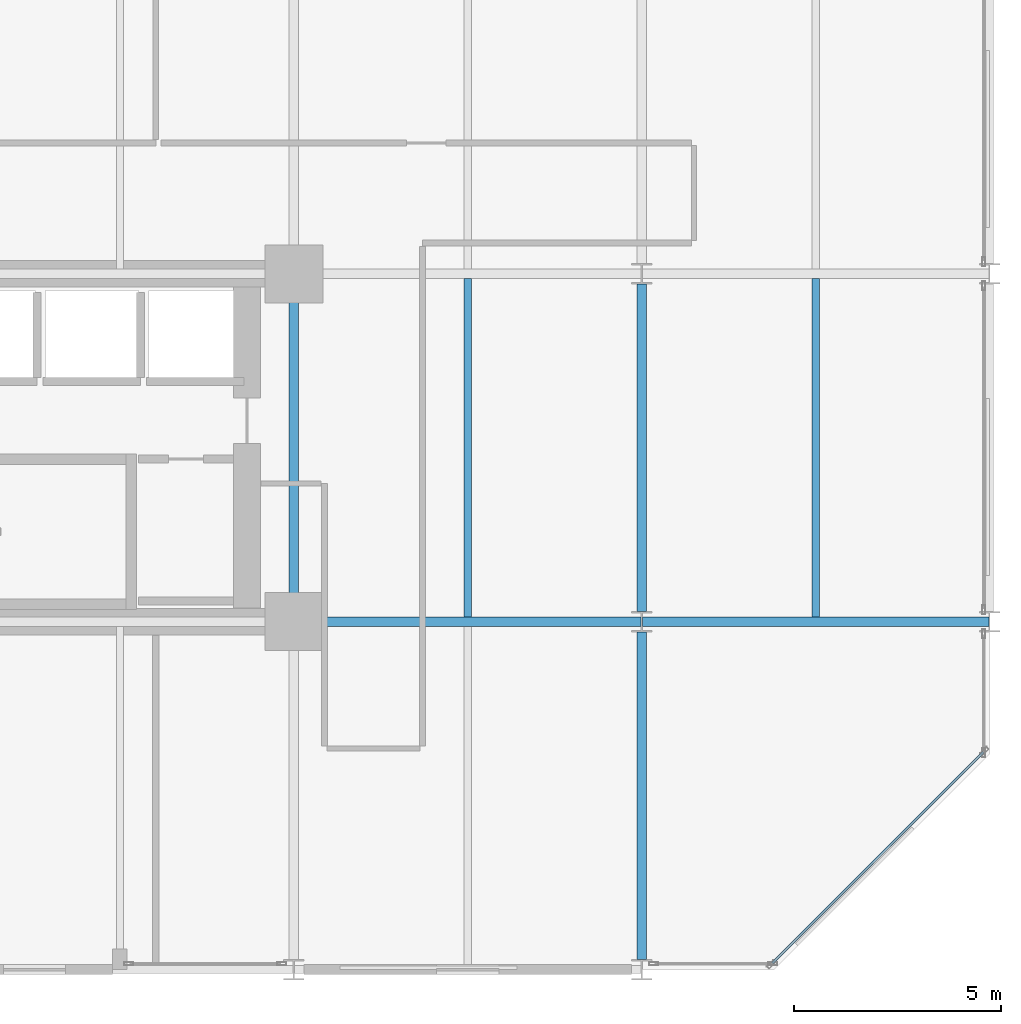
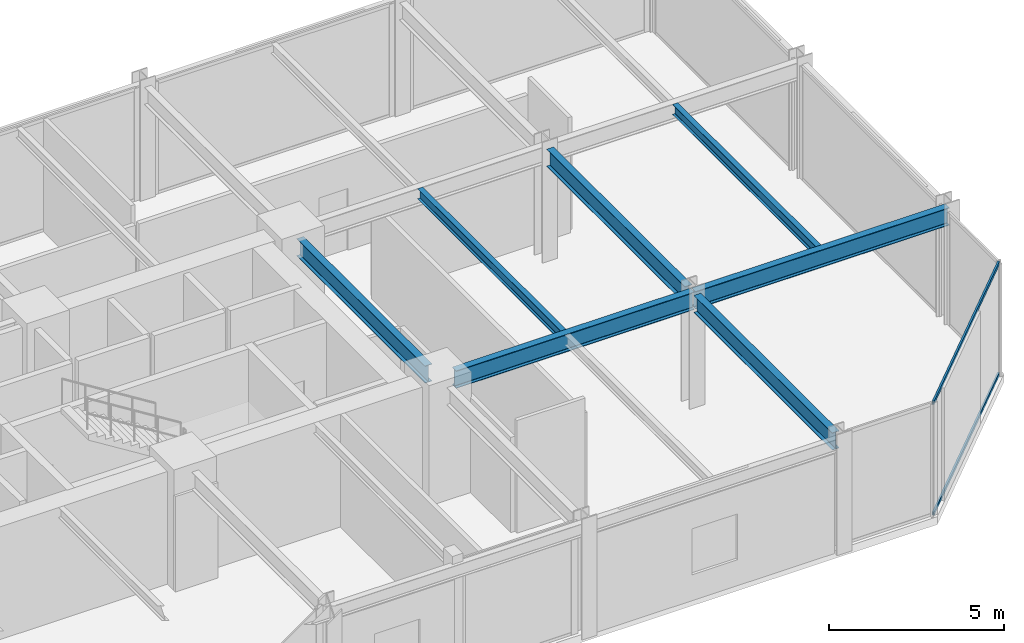
# One storey, part 10 of 24: 7 beams, 2 members, 1 element without a shape of its own.
"""IFC4 building model written with IfcOpenShell, lengths in metres."""

import ifcopenshell
import ifcopenshell.guid

model = None  # the IFC model being written
_history = None  # IfcOwnerHistory: only IFC2X3 demands one
_inside = {}  # id of a spatial element -> (the spatial element, [elements in it])
_under = {}  # id of a project, library or spatial element -> (it, [spatial elements below it])
_declared = {}  # id of a project -> (the project, [libraries it declares])
_typed = {}  # id of a type object -> (the type object, [elements of that type])
_made_of = {}  # id of a material, layer set ... -> (it, [elements and type objects made of it])


def new_model(schema):
    """Start an empty IFC model of exactly this schema.

    Asked for "IFC4X3", IfcOpenShell would pick the latest addendum, in which some entities
    have other attributes; the version numbers below select the first issue.
    IFC2X3 requires an IfcOwnerHistory on every rooted entity: one is made here for all.
    """
    global model, _history
    if schema == "IFC4X3":
        model = ifcopenshell.file(schema_version=(4, 3, 0, 0))
    else:
        model = ifcopenshell.file(schema=schema)
    _inside.clear()
    _under.clear()
    _declared.clear()
    _typed.clear()
    _made_of.clear()
    _history = None
    if model.schema == "IFC2X3":
        org = make("IfcOrganization", Name="unknown")
        user = make(
            "IfcPersonAndOrganization",
            ThePerson=make("IfcPerson", FamilyName="unknown"),
            TheOrganization=org,
        )
        app = make(
            "IfcApplication",
            ApplicationDeveloper=org,
            Version="unknown",
            ApplicationFullName="unknown",
            ApplicationIdentifier="unknown",
        )
        _history = make(
            "IfcOwnerHistory",
            OwningUser=user,
            OwningApplication=app,
            ChangeAction="ADDED",
            CreationDate=0,
        )
    return model


def make(cls, **values):
    """One entity of the class cls with the attributes given. An attribute that is None is left unset."""
    return model.create_entity(
        cls, **{name: value for name, value in values.items() if value is not None}
    )


def rooted(cls, **values):
    """An entity with a GlobalId (a new one), such as an element, a storey or a relation."""
    return make(cls, GlobalId=ifcopenshell.guid.new(), OwnerHistory=_history, **values)


def si_unit(unit_type, name, prefix=None):
    """IfcSIUnit, for example si_unit("LENGTHUNIT", "METRE", prefix="MILLI")."""
    return make("IfcSIUnit", UnitType=unit_type, Prefix=prefix, Name=name)


def assignment(units):
    """IfcUnitAssignment: the units of a project."""
    return None if units is None else make("IfcUnitAssignment", Units=units)


def point(xyz):
    """IfcCartesianPoint."""
    return None if xyz is None else make("IfcCartesianPoint", Coordinates=xyz)


def direction(xyz):
    """IfcDirection."""
    return None if xyz is None else make("IfcDirection", DirectionRatios=xyz)


def frame(location, z_axis=None, x_axis=None):
    """IfcAxis2Placement3D, a coordinate frame: its origin and axes. An axis left out is left unset."""
    return make(
        "IfcAxis2Placement3D",
        Location=point(location),
        Axis=direction(z_axis),
        RefDirection=direction(x_axis),
    )


def frame_2d(location, x_axis=None):
    """IfcAxis2Placement2D, a coordinate frame in the plane: its origin and x axis."""
    return make(
        "IfcAxis2Placement2D", Location=point(location), RefDirection=direction(x_axis)
    )


def origin():
    """The frame at (0, 0, 0) with its axes left unset."""
    return frame((0.0, 0.0, 0.0))


def origin_2d():
    """The frame at (0, 0) in the plane with its x axis left unset."""
    return frame_2d((0.0, 0.0))


def place(relative_to, where):
    """IfcLocalPlacement: puts the frame where relative to a parent placement (None: the world)."""
    return make(
        "IfcLocalPlacement", PlacementRelTo=relative_to, RelativePlacement=where
    )


def context(
    kind, dimensions, precision=None, world=None, true_north=None, identifier=None
):
    """IfcGeometricRepresentationContext, for example the 3D "Model" context."""
    return make(
        "IfcGeometricRepresentationContext",
        ContextIdentifier=identifier,
        ContextType=kind,
        CoordinateSpaceDimension=dimensions,
        Precision=precision,
        WorldCoordinateSystem=world,
        TrueNorth=true_north,
    )


def subcontext(parent, identifier, kind, view, scale=None):
    """IfcGeometricRepresentationSubContext, for example "Body" below "Model"."""
    return make(
        "IfcGeometricRepresentationSubContext",
        ContextIdentifier=identifier,
        ContextType=kind,
        ParentContext=parent,
        TargetScale=scale,
        TargetView=view,
    )


def project(units=None, contexts=None):
    """IfcProject with its units and contexts."""
    return rooted(
        "IfcProject",
        Name="project",
        RepresentationContexts=contexts,
        UnitsInContext=assignment(units),
    )


def spatial(cls, under=None, at=None, **own):
    """A site, building, storey or space (cls), placed at a placement, below another one or the project."""
    s = rooted(cls, ObjectPlacement=at, **own)
    if under is not None:
        _under.setdefault(under.id(), (under, []))[1].append(s)
    return s


def profile(cls, at=None, kind="AREA", **sizes):
    """A parametric profile (cls). Its sizes go by their IFC names, for example OverallWidth=200.0."""
    return make(cls, ProfileType=kind, Position=at, **sizes)


def hollow_rectangle(**sizes):
    """IfcRectangleHollowProfileDef."""
    return profile("IfcRectangleHollowProfileDef", **sizes)


def i_section(**sizes):
    """IfcIShapeProfileDef."""
    return profile("IfcIShapeProfileDef", **sizes)


def extrude(swept, where, along, depth):
    """IfcExtrudedAreaSolid: the profile swept, set in the frame where, extruded along a direction by depth."""
    return make(
        "IfcExtrudedAreaSolid",
        SweptArea=swept,
        Position=where,
        ExtrudedDirection=direction(along),
        Depth=depth,
    )


def shape(context_of_items, identifier, shape_type, items):
    """IfcShapeRepresentation: the items that make up one representation, for example the "Body"."""
    return make(
        "IfcShapeRepresentation",
        ContextOfItems=context_of_items,
        RepresentationIdentifier=identifier,
        RepresentationType=shape_type,
        Items=items,
    )


def material(Name=None, Category=None):
    """IfcMaterial."""
    return make("IfcMaterial", Name=Name, Category=Category)


def layer(
    of_material, thickness, ventilated=None, Name=None, Category=None, Priority=None
):
    """IfcMaterialLayer: one layer of a wall or slab, of a material (None: an air gap)."""
    return make(
        "IfcMaterialLayer",
        Material=of_material,
        LayerThickness=thickness,
        IsVentilated=ventilated,
        Name=Name,
        Category=Category,
        Priority=Priority,
    )


def layer_set(layers, Name=None):
    """IfcMaterialLayerSet."""
    return make("IfcMaterialLayerSet", MaterialLayers=layers, LayerSetName=Name)


def material_profile(
    of_material, cross_section, Name=None, Category=None, Priority=None
):
    """IfcMaterialProfile: a cross section and its material."""
    return make(
        "IfcMaterialProfile",
        Name=Name,
        Material=of_material,
        Profile=cross_section,
        Priority=Priority,
        Category=Category,
    )


def profile_set(profiles, Name=None, composite=None):
    """IfcMaterialProfileSet."""
    return make(
        "IfcMaterialProfileSet",
        Name=Name,
        MaterialProfiles=profiles,
        CompositeProfile=composite,
    )


def made_of(thing, what):
    """Note that an element or type object is made of a material, layer set ...; save() writes the relation."""
    if what is not None:
        _made_of.setdefault(what.id(), (what, []))[1].append(thing)
    return thing


def type_object(cls, material=None, **own):
    """A type object (cls), such as IfcWallType, which elements share."""
    return made_of(rooted(cls, **own), material)


def element(
    cls,
    number,
    at=None,
    inside=None,
    cuts=None,
    type_object=None,
    material=None,
    context=None,
    identifier="Body",
    shape_type=None,
    held_by="IfcProductDefinitionShape",
    body=None,
    shapes=None,
    **own,
):
    """One element of the class cls, such as IfcWall. Its Tag is "e" and its number.

    at: its placement. inside: the storey or other place that contains it. cuts: it is an
    opening in that element (IfcRelVoidsElement). A single representation is given by context,
    identifier, shape_type and body (its items); several are given by shapes. held_by: the class
    of the entity that holds the representations. save() writes the other relations.
    """
    e = rooted(cls, Tag="e%d" % number, ObjectPlacement=at, **own)
    if body is not None:
        shapes = [shape(context, identifier, shape_type, body)]
    if shapes is not None:
        e.Representation = make(held_by, Representations=shapes)
    if inside is not None:
        _inside.setdefault(inside.id(), (inside, []))[1].append(e)
    if cuts is not None:
        rooted(
            "IfcRelVoidsElement", RelatingBuildingElement=cuts, RelatedOpeningElement=e
        )
    if type_object is not None:
        _typed.setdefault(type_object.id(), (type_object, []))[1].append(e)
    return made_of(e, material)


def aggregate(whole, parts):
    """IfcRelAggregates: a whole, such as a stair, and the parts it consists of."""
    return rooted("IfcRelAggregates", RelatingObject=whole, RelatedObjects=parts)


def save(model, path):
    """Write the relations noted so far, then the file.

    IfcRelAggregates (storeys below a building ...), IfcRelContainedInSpatialStructure (elements
    in a storey), IfcRelDefinesByType, IfcRelAssociatesMaterial and IfcRelDeclares: one each for
    every whole, place, type object, material and project.
    """
    for whole, parts in _under.values():
        aggregate(whole, parts)
    for where, things in _inside.values():
        rooted(
            "IfcRelContainedInSpatialStructure",
            RelatedElements=things,
            RelatingStructure=where,
        )
    for kind, things in _typed.values():
        rooted("IfcRelDefinesByType", RelatedObjects=things, RelatingType=kind)
    for what, things in _made_of.values():
        rooted("IfcRelAssociatesMaterial", RelatedObjects=things, RelatingMaterial=what)
    for by, libraries in _declared.values():
        rooted("IfcRelDeclares", RelatingContext=by, RelatedDefinitions=libraries)
    model.write(path)


model = new_model("IFC4")

# Units and contexts
model_context = context("Model", 3, precision=1e-05, world=origin(), true_north=direction((0.0, 1.0)))
body_context = subcontext(model_context, "Body", "Model", "MODEL_VIEW")
ifc_project = project(units=[si_unit("LENGTHUNIT", "METRE"), si_unit("AREAUNIT", "SQUARE_METRE"), si_unit("VOLUMEUNIT", "CUBIC_METRE"), si_unit("PLANEANGLEUNIT", "RADIAN"), si_unit("MASSUNIT", "GRAM", prefix="KILO")], contexts=[model_context])

# Site, building, storey
site_placement = place(None, origin())
site = spatial("IfcSite", under=ifc_project, at=site_placement, CompositionType="ELEMENT")
building_placement = place(site_placement, origin())
building = spatial("IfcBuilding", under=site, at=building_placement, Name="Nerrivon Quay Data Exchange", CompositionType="ELEMENT")
storey_placement = place(building_placement, frame((0.0, 0.0, 45.800048828125)))
storey = spatial("IfcBuildingStorey", under=building, at=storey_placement, Name="L10", CompositionType="ELEMENT", Elevation=45.800048828125)

# Beams
ifc_material_1 = material(Name="Steel Grade 350", Category="steel")
ifc_material_profile_1 = material_profile(ifc_material_1, i_section(OverallWidth=0.22900390625, OverallDepth=0.612060546875, WebThickness=0.011962890625, FlangeThickness=0.01953125, FilletRadius=0.013916015625, at=origin_2d()), Name="610UB125")
ifc_profile_set_1 = profile_set([ifc_material_profile_1], Name="Steel Grade 350")
beam_type_1 = type_object("IfcBeamType", Name="BM-G1-610UB125", PredefinedType="BEAM", material=ifc_profile_set_1)
beam_1_placement = place(storey_placement, frame((34.139892578125, 8.39990234375, 3.618896484375), z_axis=(1.0, 0.0, 0.0), x_axis=(0.0, 1.0, 0.0)))
element("IfcBeam", 1, at=beam_1_placement, inside=storey, type_object=beam_type_1, Name="L10 EW Girder Y=8.4 (33.6..42.0)", PredefinedType="BEAM", context=body_context, shape_type="SweptSolid", body=[
    extrude(i_section(OverallWidth=0.22900390625, OverallDepth=0.612060546875, WebThickness=0.011962890625, FlangeThickness=0.01953125, FilletRadius=0.013916015625, at=origin_2d()), origin(), (0.0, 0.0, 1.0), 7.84619140625),
])
beam_2_placement = place(storey_placement, frame((42.013916015625, 8.39990234375, 3.618896484375), z_axis=(1.0, 0.0, 0.0), x_axis=(0.0, 1.0, 0.0)))
element("IfcBeam", 2, at=beam_2_placement, inside=storey, type_object=beam_type_1, Name="L10 EW Girder Y=8.4 (42.0..50.4)", PredefinedType="BEAM", context=body_context, shape_type="SweptSolid", body=[
    extrude(i_section(OverallWidth=0.22900390625, OverallDepth=0.612060546875, WebThickness=0.011962890625, FlangeThickness=0.01953125, FilletRadius=0.013916015625, at=origin_2d()), origin(), (0.0, 0.0, 1.0), 8.3720703125),
])
ifc_material_profile_2 = material_profile(ifc_material_1, i_section(OverallWidth=0.22802734375, OverallDepth=0.60205078125, WebThickness=0.010498046875, FlangeThickness=0.014892578125, FilletRadius=0.013916015625, at=origin_2d()), Name="610UB101")
ifc_profile_set_2 = profile_set([ifc_material_profile_2], Name="Steel Grade 350")
beam_type_2 = type_object("IfcBeamType", Name="BM-G2-610UB101", PredefinedType="BEAM", material=ifc_profile_set_2)
beam_3_placement = place(storey_placement, frame((33.60009765625, 8.93994140625, 3.6240234375), z_axis=(0.0, 1.0, 0.0), x_axis=(-1.0, 0.0, 0.0)))
element("IfcBeam", 3, at=beam_3_placement, inside=storey, type_object=beam_type_2, Name="L10 NS Girder X=33.6 (8.4..16.8)", PredefinedType="BEAM", context=body_context, shape_type="SweptSolid", body=[
    extrude(i_section(OverallWidth=0.22802734375, OverallDepth=0.60205078125, WebThickness=0.010498046875, FlangeThickness=0.014892578125, FilletRadius=0.013916015625, at=origin_2d()), origin(), (0.0, 0.0, 1.0), 7.320068359375),
])
beam_4_placement = place(storey_placement, frame((42.0, 0.25, 3.6240234375), z_axis=(0.0, 1.0, 0.0), x_axis=(-1.0, 0.0, 0.0)))
element("IfcBeam", 4, at=beam_4_placement, inside=storey, type_object=beam_type_2, Name="L10 NS Girder X=42.0 (0.0..8.4)", PredefinedType="BEAM", context=body_context, shape_type="SweptSolid", body=[
    extrude(i_section(OverallWidth=0.22802734375, OverallDepth=0.60205078125, WebThickness=0.010498046875, FlangeThickness=0.014892578125, FilletRadius=0.013916015625, at=origin_2d()), origin(), (0.0, 0.0, 1.0), 7.89990234375),
])
beam_5_placement = place(storey_placement, frame((42.0, 8.64990234375, 3.6240234375), z_axis=(0.0, 1.0, 0.0), x_axis=(-1.0, 0.0, 0.0)))
element("IfcBeam", 5, at=beam_5_placement, inside=storey, type_object=beam_type_2, Name="L10 NS Girder X=42.0 (8.4..16.8)", PredefinedType="BEAM", context=body_context, shape_type="SweptSolid", body=[
    extrude(i_section(OverallWidth=0.22802734375, OverallDepth=0.60205078125, WebThickness=0.010498046875, FlangeThickness=0.014892578125, FilletRadius=0.013916015625, at=origin_2d()), origin(), (0.0, 0.0, 1.0), 7.900146484375),
])
ifc_material_profile_3 = material_profile(ifc_material_1, i_section(OverallWidth=0.172119140625, OverallDepth=0.35888671875, WebThickness=0.008056640625, FlangeThickness=0.012939453125, FilletRadius=0.011474609375, at=origin_2d()), Name="360UB56.7")
ifc_profile_set_3 = profile_set([ifc_material_profile_3], Name="Steel Grade 350")
beam_type_3 = type_object("IfcBeamType", Name="BM-J3-360UB57", PredefinedType="JOIST", material=ifc_profile_set_3)
for number, where, z_axis, x_axis, name in (
    (6, (37.800048828125, 8.514404296875, 3.745361328125), (0.0, 1.0, 0.0), (-1.0, 0.0, 0.0), "L10 Secondary Joist X=37.8 (8.4..16.8)"),
    (7, (46.199951171875, 8.514404296875, 3.745361328125), (0.0, 1.0, 0.0), (-1.0, 0.0, 0.0), "L10 Secondary Joist X=46.2 (8.4..16.8)"),
):
    element("IfcBeam", number, at=place(storey_placement, frame(where, z_axis=z_axis, x_axis=x_axis)), inside=storey, type_object=beam_type_3, Name=name, PredefinedType="JOIST", context=body_context, shape_type="SweptSolid", body=[
        extrude(i_section(OverallWidth=0.172119140625, OverallDepth=0.35888671875, WebThickness=0.008056640625, FlangeThickness=0.012939453125, FilletRadius=0.011474609375, at=origin_2d()), origin(), (0.0, 0.0, 1.0), 8.171142578125),
    ])

# Curtain wall, members
ifc_material_2 = material(Name="Anodised aluminium 6063-T6", Category="aluminium")
ifc_layer = layer(ifc_material_2, 0.219970703125)
ifc_layer_set = layer_set([ifc_layer], Name="Anodised aluminium 6063-T6")
curtain_wall_type = type_object("IfcCurtainWallType", Name="CW-SYS-01", PredefinedType="NOTDEFINED", material=ifc_layer_set)
curtain_wall_placement = place(storey_placement, origin())
curtain_wall = element("IfcCurtainWall", 8, at=curtain_wall_placement, inside=storey, type_object=curtain_wall_type, Name="L10 Unitised Curtain Wall 1", PredefinedType="NOTDEFINED")
ifc_material_profile_4 = material_profile(ifc_material_2, hollow_rectangle(XDim=0.06005859375, YDim=0.1201171875, WallThickness=0.003173828125, at=origin_2d()), Name="ALU-TRAN-120x60")
ifc_profile_set_4 = profile_set([ifc_material_profile_4], Name="Anodised aluminium 6063-T6")
member_type = type_object("IfcMemberType", Name="CWT-120x60", PredefinedType="USERDEFINED", material=ifc_profile_set_4)
member_1_placement = place(storey_placement, frame((50.248046875, 5.245849609375, 0.032470703125), z_axis=(-0.707123726196, -0.707089835771, 0.0), x_axis=(0.707089835771, -0.707123726196, 0.0)))
member_1 = element("IfcMember", 9, at=member_1_placement, type_object=member_type, Name="CW01 transom 1.1", ObjectType="TRANSOM", PredefinedType="USERDEFINED", context=body_context, shape_type="SweptSolid", body=[
    extrude(hollow_rectangle(XDim=0.06005859375, YDim=0.1201171875, WallThickness=0.003173828125, at=origin_2d()), origin(), (0.0, 0.0, 1.0), 7.203857421875),
])
member_2_placement = place(storey_placement, frame((50.248046875, 5.245849609375, 3.892333984375), z_axis=(-0.707123726196, -0.707089835771, 0.0), x_axis=(0.707089835771, -0.707123726196, 0.0)))
member_2 = element("IfcMember", 10, at=member_2_placement, type_object=member_type, Name="CW01 transom 1.2", ObjectType="TRANSOM", PredefinedType="USERDEFINED", context=body_context, shape_type="SweptSolid", body=[
    extrude(hollow_rectangle(XDim=0.06005859375, YDim=0.1201171875, WallThickness=0.003173828125, at=origin_2d()), origin(), (0.0, 0.0, 1.0), 7.203857421875),
])
aggregate(curtain_wall, [member_1, member_2])

save(model, "model.ifc")
